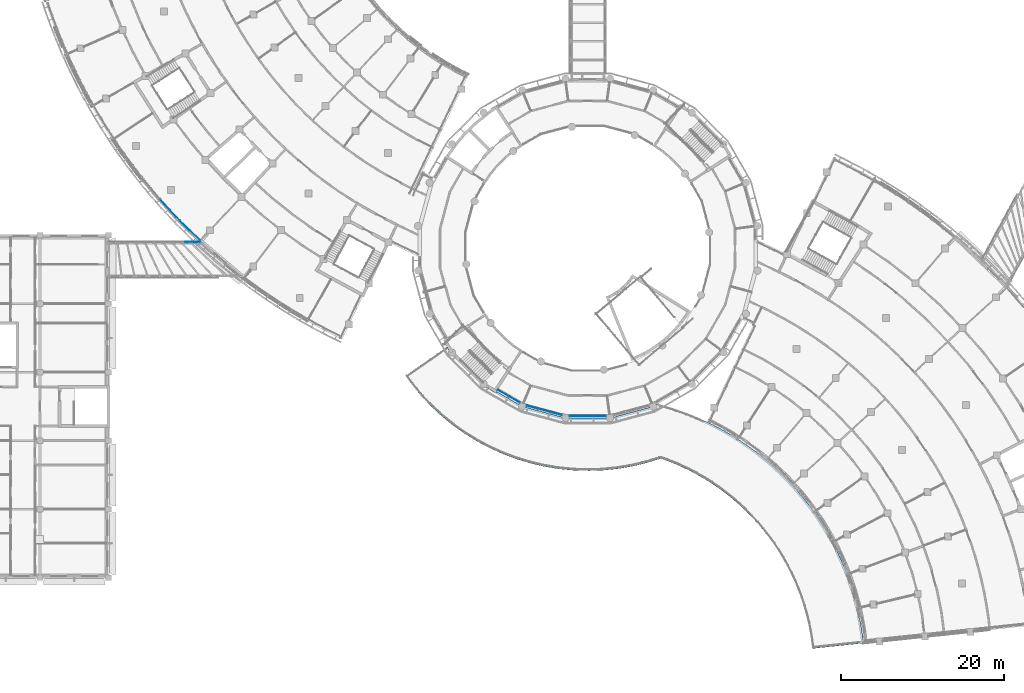
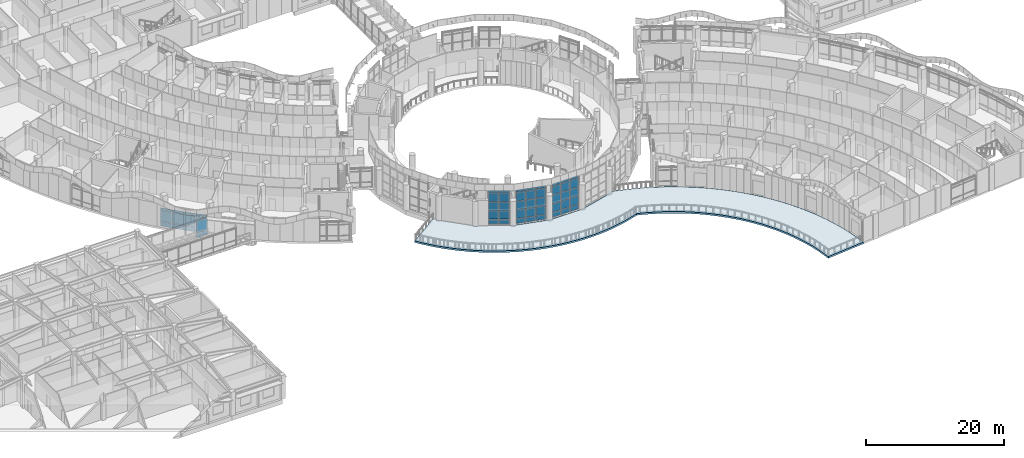
# One storey, part 41 of 136: 54 plates, 1 slab, 5 elements without a shape of their own.
"""IFC4 building model written with IfcOpenShell, lengths in metres."""

from ifc_helpers import new_model, si_unit, direction, frame, origin, origin_2d, place, context, subcontext, project, spatial, polyline, rectangle, outline, extrude, material, layer, layer_set, type_object, element, aggregate, save


model = new_model("IFC4")

# Units and contexts
model_context = context("Model", 3, precision=1e-05, world=origin(), true_north=direction((0.0, 1.0)))
body_context = subcontext(model_context, "Body", "Model", "MODEL_VIEW")
ifc_project = project(units=[si_unit("LENGTHUNIT", "METRE"), si_unit("AREAUNIT", "SQUARE_METRE"), si_unit("VOLUMEUNIT", "CUBIC_METRE"), si_unit("PLANEANGLEUNIT", "RADIAN"), si_unit("MASSUNIT", "GRAM", prefix="KILO")], contexts=[model_context])

# Site, building, storey
site_placement = place(None, origin())
site = spatial("IfcSite", under=ifc_project, at=site_placement, CompositionType="ELEMENT")
building_placement = place(site_placement, origin())
building = spatial("IfcBuilding", under=site, at=building_placement, Name="Bougainvillea Quay General Hospital", CompositionType="ELEMENT")
storey_placement = place(building_placement, frame((0.0, 0.0, 5.39990234375)))
storey = spatial("IfcBuildingStorey", under=building, at=storey_placement, Name="L01", CompositionType="ELEMENT", Elevation=5.39990234375)

# Curtain wall, plates
ifc_material_1 = material(Name="Aluminium curtain wall system, powder-coated glazed", Category="aluminium")
curtain_wall_type_1 = type_object("IfcCurtainWallType", Name="Unitised curtain wall CW-2100", PredefinedType="NOTDEFINED", material=ifc_material_1)
curtain_wall_1_placement = place(storey_placement, origin())
curtain_wall_1 = element("IfcCurtainWall", 1, at=curtain_wall_1_placement, inside=storey, type_object=curtain_wall_type_1, Name="CW-W04 a01b3", PredefinedType="NOTDEFINED")
ifc_material_2 = material(Name="Insulated aluminium spandrel panel, white", Category="aluminium")
ifc_layer_1 = layer(ifc_material_2, 0.028076171875)
ifc_layer_set_1 = layer_set([ifc_layer_1], Name="Insulated aluminium spandrel panel, white")
plate_type_1 = type_object("IfcPlateType", Name="Insulated spandrel panel white 28", PredefinedType="CURTAIN_PANEL", material=ifc_layer_set_1)
plate_1_placement = place(storey_placement, frame((61.037109375, 75.555908203125, 0.06005859375), z_axis=(0.0, 0.0, 1.0), x_axis=(-0.72341917251, 0.690409082244, 0.0)))
plate_1 = element("IfcPlate", 2, at=plate_1_placement, type_object=plate_type_1, Name="CW-W04 spandrel panel 1.1", PredefinedType="CURTAIN_PANEL", context=body_context, shape_type="SweptSolid", body=[
    extrude(rectangle(XDim=1.6787109375, YDim=0.028076171875, at=origin_2d()), origin(), (0.0, 0.0, 1.0), 0.81005859375),
])
plate_2_placement = place(storey_placement, frame((61.037109375, 75.555908203125, 2.88037109375), z_axis=(0.0, 0.0, 1.0), x_axis=(-0.72341917251, 0.690409082244, 0.0)))
plate_2 = element("IfcPlate", 3, at=plate_2_placement, type_object=plate_type_1, Name="CW-W04 spandrel panel 1.3", PredefinedType="CURTAIN_PANEL", context=body_context, shape_type="SweptSolid", body=[
    extrude(rectangle(XDim=1.6787109375, YDim=0.028076171875, at=origin_2d()), origin(), (0.0, 0.0, 1.0), 0.409912109375),
])
plate_3_placement = place(storey_placement, frame((59.783935546875, 76.78271484375, 0.06005859375), z_axis=(0.0, 0.0, 1.0), x_axis=(-0.705679920485, 0.708530768439, 0.0)))
plate_3 = element("IfcPlate", 4, at=plate_3_placement, type_object=plate_type_1, Name="CW-W04 spandrel panel 2.1", PredefinedType="CURTAIN_PANEL", context=body_context, shape_type="SweptSolid", body=[
    extrude(rectangle(XDim=1.708740234375, YDim=0.028076171875, at=origin_2d()), origin(), (0.0, 0.0, 1.0), 0.81005859375),
])
plate_4_placement = place(storey_placement, frame((59.783935546875, 76.78271484375, 2.88037109375), z_axis=(0.0, 0.0, 1.0), x_axis=(-0.705679920485, 0.708530768439, 0.0)))
plate_4 = element("IfcPlate", 5, at=plate_4_placement, type_object=plate_type_1, Name="CW-W04 spandrel panel 2.3", PredefinedType="CURTAIN_PANEL", context=body_context, shape_type="SweptSolid", body=[
    extrude(rectangle(XDim=1.708740234375, YDim=0.028076171875, at=origin_2d()), origin(), (0.0, 0.0, 1.0), 0.409912109375),
])
plate_5_placement = place(storey_placement, frame((58.5517578125, 78.0517578125, 0.06005859375), z_axis=(0.0, 0.0, 1.0), x_axis=(-0.687486862234, 0.726196815096, 0.0)))
plate_5 = element("IfcPlate", 6, at=plate_5_placement, type_object=plate_type_1, Name="CW-W04 spandrel panel 3.1", PredefinedType="CURTAIN_PANEL", context=body_context, shape_type="SweptSolid", body=[
    extrude(rectangle(XDim=1.708740234375, YDim=0.028076171875, at=origin_2d()), origin(), (0.0, 0.0, 1.0), 0.81005859375),
])
plate_6_placement = place(storey_placement, frame((58.5517578125, 78.0517578125, 2.88037109375), z_axis=(0.0, 0.0, 1.0), x_axis=(-0.687486862234, 0.726196815096, 0.0)))
plate_6 = element("IfcPlate", 7, at=plate_6_placement, type_object=plate_type_1, Name="CW-W04 spandrel panel 3.3", PredefinedType="CURTAIN_PANEL", context=body_context, shape_type="SweptSolid", body=[
    extrude(rectangle(XDim=1.708740234375, YDim=0.028076171875, at=origin_2d()), origin(), (0.0, 0.0, 1.0), 0.409912109375),
])
plate_7_placement = place(storey_placement, frame((57.3623046875, 79.340087890625, 0.06005859375), z_axis=(0.0, 0.0, 1.0), x_axis=(-0.668851697289, 0.743395861593, 0.0)))
plate_7 = element("IfcPlate", 8, at=plate_7_placement, type_object=plate_type_1, Name="CW-W04 spandrel panel 4.1", PredefinedType="CURTAIN_PANEL", context=body_context, shape_type="SweptSolid", body=[
    extrude(rectangle(XDim=1.6787109375, YDim=0.028076171875, at=origin_2d()), origin(), (0.0, 0.0, 1.0), 0.81005859375),
])
plate_8_placement = place(storey_placement, frame((57.3623046875, 79.340087890625, 2.88037109375), z_axis=(0.0, 0.0, 1.0), x_axis=(-0.668851697289, 0.743395861593, 0.0)))
plate_8 = element("IfcPlate", 9, at=plate_8_placement, type_object=plate_type_1, Name="CW-W04 spandrel panel 4.3", PredefinedType="CURTAIN_PANEL", context=body_context, shape_type="SweptSolid", body=[
    extrude(rectangle(XDim=1.6787109375, YDim=0.028076171875, at=origin_2d()), origin(), (0.0, 0.0, 1.0), 0.409912109375),
])

curtain_wall_type_2 = type_object("IfcCurtainWallType", Name="Unitised curtain wall CW-1585", PredefinedType="NOTDEFINED", material=ifc_material_1)
curtain_wall_2_placement = place(storey_placement, origin())
curtain_wall_2 = element("IfcCurtainWall", 10, at=curtain_wall_2_placement, inside=storey, type_object=curtain_wall_type_2, Name="CW-D 00", PredefinedType="NOTDEFINED")
plate_9_placement = place(storey_placement, frame((98.8359375, 56.231689453125, 0.06005859375), z_axis=(0.0, 0.0, 1.0), x_axis=(0.866045865692, -0.499964557262, 0.0)))
plate_9 = element("IfcPlate", 11, at=plate_9_placement, type_object=plate_type_1, Name="CW-D spandrel panel 1.1", PredefinedType="CURTAIN_PANEL", context=body_context, shape_type="SweptSolid", body=[
    extrude(rectangle(XDim=1.494873046875, YDim=0.028076171875, at=origin_2d()), origin(), (0.0, 0.0, 1.0), 0.81005859375),
])
plate_10_placement = place(storey_placement, frame((98.8359375, 56.231689453125, 5.580078125), z_axis=(0.0, 0.0, 1.0), x_axis=(0.866045865692, -0.499964557262, 0.0)))
plate_10 = element("IfcPlate", 12, at=plate_10_placement, type_object=plate_type_1, Name="CW-D spandrel panel 1.5", PredefinedType="CURTAIN_PANEL", context=body_context, shape_type="SweptSolid", body=[
    extrude(rectangle(XDim=1.494873046875, YDim=0.028076171875, at=origin_2d()), origin(), (0.0, 0.0, 1.0), 0.409912109375),
])
plate_11_placement = place(storey_placement, frame((100.1826171875, 55.4541015625, 0.06005859375), z_axis=(0.0, 0.0, 1.0), x_axis=(0.866045865692, -0.499964557262, 0.0)))
plate_11 = element("IfcPlate", 13, at=plate_11_placement, type_object=plate_type_1, Name="CW-D spandrel panel 2.1", PredefinedType="CURTAIN_PANEL", context=body_context, shape_type="SweptSolid", body=[
    extrude(rectangle(XDim=1.494873046875, YDim=0.028076171875, at=origin_2d()), origin(), (0.0, 0.0, 1.0), 0.81005859375),
])
plate_12_placement = place(storey_placement, frame((100.1826171875, 55.4541015625, 5.580078125), z_axis=(0.0, 0.0, 1.0), x_axis=(0.866045865692, -0.499964557262, 0.0)))
plate_12 = element("IfcPlate", 14, at=plate_12_placement, type_object=plate_type_1, Name="CW-D spandrel panel 2.5", PredefinedType="CURTAIN_PANEL", context=body_context, shape_type="SweptSolid", body=[
    extrude(rectangle(XDim=1.494873046875, YDim=0.028076171875, at=origin_2d()), origin(), (0.0, 0.0, 1.0), 0.409912109375),
])

curtain_wall_type_3 = type_object("IfcCurtainWallType", Name="Unitised curtain wall CW-1514", PredefinedType="NOTDEFINED", material=ifc_material_1)
curtain_wall_3_placement = place(storey_placement, origin())
curtain_wall_3 = element("IfcCurtainWall", 15, at=curtain_wall_3_placement, inside=storey, type_object=curtain_wall_type_3, Name="CW-D 00", PredefinedType="NOTDEFINED")
plate_13_placement = place(storey_placement, frame((102.428466796875, 54.51904296875, 0.06005859375), z_axis=(0.0, 0.0, 1.0), x_axis=(0.965916292974, -0.258854621298, 0.0)))
plate_13 = element("IfcPlate", 16, at=plate_13_placement, type_object=plate_type_1, Name="CW-D spandrel panel 1.1", PredefinedType="CURTAIN_PANEL", context=body_context, shape_type="SweptSolid", body=[
    extrude(rectangle(XDim=1.423828125, YDim=0.028076171875, at=origin_2d()), origin(), (0.0, 0.0, 1.0), 0.81005859375),
])
plate_14_placement = place(storey_placement, frame((102.428466796875, 54.51904296875, 5.580078125), z_axis=(0.0, 0.0, 1.0), x_axis=(0.965916292974, -0.258854621298, 0.0)))
plate_14 = element("IfcPlate", 17, at=plate_14_placement, type_object=plate_type_1, Name="CW-D spandrel panel 1.5", PredefinedType="CURTAIN_PANEL", context=body_context, shape_type="SweptSolid", body=[
    extrude(rectangle(XDim=1.423828125, YDim=0.028076171875, at=origin_2d()), origin(), (0.0, 0.0, 1.0), 0.409912109375),
])
plate_15_placement = place(storey_placement, frame((103.876220703125, 54.130859375, 0.06005859375), z_axis=(0.0, 0.0, 1.0), x_axis=(0.965916292974, -0.258854621298, 0.0)))
plate_15 = element("IfcPlate", 18, at=plate_15_placement, type_object=plate_type_1, Name="CW-D spandrel panel 2.1", PredefinedType="CURTAIN_PANEL", context=body_context, shape_type="SweptSolid", body=[
    extrude(rectangle(XDim=1.453857421875, YDim=0.028076171875, at=origin_2d()), origin(), (0.0, 0.0, 1.0), 0.81005859375),
])
plate_16_placement = place(storey_placement, frame((103.876220703125, 54.130859375, 5.580078125), z_axis=(0.0, 0.0, 1.0), x_axis=(0.965916292974, -0.258854621298, 0.0)))
plate_16 = element("IfcPlate", 19, at=plate_16_placement, type_object=plate_type_1, Name="CW-D spandrel panel 2.5", PredefinedType="CURTAIN_PANEL", context=body_context, shape_type="SweptSolid", body=[
    extrude(rectangle(XDim=1.453857421875, YDim=0.028076171875, at=origin_2d()), origin(), (0.0, 0.0, 1.0), 0.409912109375),
])
plate_17_placement = place(storey_placement, frame((105.323974609375, 53.742919921875, 0.06005859375), z_axis=(0.0, 0.0, 1.0), x_axis=(0.965916292974, -0.258854621298, 0.0)))
plate_17 = element("IfcPlate", 20, at=plate_17_placement, type_object=plate_type_1, Name="CW-D spandrel panel 3.1", PredefinedType="CURTAIN_PANEL", context=body_context, shape_type="SweptSolid", body=[
    extrude(rectangle(XDim=1.423828125, YDim=0.028076171875, at=origin_2d()), origin(), (0.0, 0.0, 1.0), 0.81005859375),
])
plate_18_placement = place(storey_placement, frame((105.323974609375, 53.742919921875, 5.580078125), z_axis=(0.0, 0.0, 1.0), x_axis=(0.965916292974, -0.258854621298, 0.0)))
plate_18 = element("IfcPlate", 21, at=plate_18_placement, type_object=plate_type_1, Name="CW-D spandrel panel 3.5", PredefinedType="CURTAIN_PANEL", context=body_context, shape_type="SweptSolid", body=[
    extrude(rectangle(XDim=1.423828125, YDim=0.028076171875, at=origin_2d()), origin(), (0.0, 0.0, 1.0), 0.409912109375),
])

curtain_wall_4_placement = place(storey_placement, origin())
curtain_wall_4 = element("IfcCurtainWall", 22, at=curtain_wall_4_placement, inside=storey, type_object=curtain_wall_type_3, Name="CW-D 00", PredefinedType="NOTDEFINED")
plate_19_placement = place(storey_placement, frame((107.700927734375, 53.429931640625, 0.06005859375), z_axis=(0.0, 0.0, 1.0), x_axis=(1.0, 0.0, 0.0)))
plate_19 = element("IfcPlate", 23, at=plate_19_placement, type_object=plate_type_1, Name="CW-D spandrel panel 1.1", PredefinedType="CURTAIN_PANEL", context=body_context, shape_type="SweptSolid", body=[
    extrude(rectangle(XDim=1.424072265625, YDim=0.028076171875, at=origin_2d()), origin(), (0.0, 0.0, 1.0), 0.81005859375),
])
plate_20_placement = place(storey_placement, frame((107.700927734375, 53.429931640625, 5.580078125), z_axis=(0.0, 0.0, 1.0), x_axis=(1.0, 0.0, 0.0)))
plate_20 = element("IfcPlate", 24, at=plate_20_placement, type_object=plate_type_1, Name="CW-D spandrel panel 1.5", PredefinedType="CURTAIN_PANEL", context=body_context, shape_type="SweptSolid", body=[
    extrude(rectangle(XDim=1.424072265625, YDim=0.028076171875, at=origin_2d()), origin(), (0.0, 0.0, 1.0), 0.409912109375),
])
plate_21_placement = place(storey_placement, frame((109.199951171875, 53.429931640625, 0.06005859375), z_axis=(0.0, 0.0, 1.0), x_axis=(1.0, 0.0, 0.0)))
plate_21 = element("IfcPlate", 25, at=plate_21_placement, type_object=plate_type_1, Name="CW-D spandrel panel 2.1", PredefinedType="CURTAIN_PANEL", context=body_context, shape_type="SweptSolid", body=[
    extrude(rectangle(XDim=1.4541015625, YDim=0.028076171875, at=origin_2d()), origin(), (0.0, 0.0, 1.0), 0.81005859375),
])
plate_22_placement = place(storey_placement, frame((109.199951171875, 53.429931640625, 5.580078125), z_axis=(0.0, 0.0, 1.0), x_axis=(1.0, 0.0, 0.0)))
plate_22 = element("IfcPlate", 26, at=plate_22_placement, type_object=plate_type_1, Name="CW-D spandrel panel 2.5", PredefinedType="CURTAIN_PANEL", context=body_context, shape_type="SweptSolid", body=[
    extrude(rectangle(XDim=1.4541015625, YDim=0.028076171875, at=origin_2d()), origin(), (0.0, 0.0, 1.0), 0.409912109375),
])
plate_23_placement = place(storey_placement, frame((110.698974609375, 53.429931640625, 0.06005859375), z_axis=(0.0, 0.0, 1.0), x_axis=(1.0, 0.0, 0.0)))
plate_23 = element("IfcPlate", 27, at=plate_23_placement, type_object=plate_type_1, Name="CW-D spandrel panel 3.1", PredefinedType="CURTAIN_PANEL", context=body_context, shape_type="SweptSolid", body=[
    extrude(rectangle(XDim=1.424072265625, YDim=0.028076171875, at=origin_2d()), origin(), (0.0, 0.0, 1.0), 0.81005859375),
])
plate_24_placement = place(storey_placement, frame((110.698974609375, 53.429931640625, 5.580078125), z_axis=(0.0, 0.0, 1.0), x_axis=(1.0, 0.0, 0.0)))
plate_24 = element("IfcPlate", 28, at=plate_24_placement, type_object=plate_type_1, Name="CW-D spandrel panel 3.5", PredefinedType="CURTAIN_PANEL", context=body_context, shape_type="SweptSolid", body=[
    extrude(rectangle(XDim=1.424072265625, YDim=0.028076171875, at=origin_2d()), origin(), (0.0, 0.0, 1.0), 0.409912109375),
])

# Curtain wall, plate
curtain_wall_5_placement = place(storey_placement, origin())
curtain_wall_5 = element("IfcCurtainWall", 29, at=curtain_wall_5_placement, inside=storey, type_object=curtain_wall_type_1, Name="BG-L L", PredefinedType="NOTDEFINED")
plate_25_placement = place(storey_placement, frame((60.73193359375, 74.760009765625, 0.06005859375), z_axis=(0.0, 0.0, 1.0), x_axis=(1.0, 0.0, 0.0)))
plate_25 = element("IfcPlate", 30, at=plate_25_placement, type_object=plate_type_1, Name="BG-L spandrel panel 6.1", PredefinedType="CURTAIN_PANEL", context=body_context, shape_type="SweptSolid", body=[
    extrude(rectangle(XDim=1.791259765625, YDim=0.028076171875, at=origin_2d()), origin(), (0.0, 0.0, 1.0), 0.81005859375),
])

# Plate
ifc_material_3 = material(Name="Low-e laminated glass, solar control", Category="glass")
ifc_layer_2 = layer(ifc_material_3, 0.028076171875)
ifc_layer_set_2 = layer_set([ifc_layer_2], Name="Low-e laminated glass, solar control")
plate_type_2 = type_object("IfcPlateType", Name="Low-e laminated vision glass 28", PredefinedType="CURTAIN_PANEL", material=ifc_layer_set_2)
plate_26_placement = place(storey_placement, frame((61.037109375, 75.555908203125, 0.93017578125), z_axis=(0.0, 0.0, 1.0), x_axis=(-0.72341917251, 0.690409082244, 0.0)))
plate_26 = element("IfcPlate", 31, at=plate_26_placement, type_object=plate_type_2, Name="CW-W04 vision glass panel 1.2", PredefinedType="CURTAIN_PANEL", context=body_context, shape_type="SweptSolid", body=[
    extrude(rectangle(XDim=1.6787109375, YDim=0.028076171875, at=origin_2d()), origin(), (0.0, 0.0, 1.0), 1.889892578125),
])

plate_27_placement = place(storey_placement, frame((59.783935546875, 76.78271484375, 0.93017578125), z_axis=(0.0, 0.0, 1.0), x_axis=(-0.705679920485, 0.708530768439, 0.0)))
plate_27 = element("IfcPlate", 32, at=plate_27_placement, type_object=plate_type_2, Name="CW-W04 vision glass panel 2.2", PredefinedType="CURTAIN_PANEL", context=body_context, shape_type="SweptSolid", body=[
    extrude(rectangle(XDim=1.708740234375, YDim=0.028076171875, at=origin_2d()), origin(), (0.0, 0.0, 1.0), 1.889892578125),
])

plate_28_placement = place(storey_placement, frame((58.5517578125, 78.0517578125, 0.93017578125), z_axis=(0.0, 0.0, 1.0), x_axis=(-0.687486862234, 0.726196815096, 0.0)))
plate_28 = element("IfcPlate", 33, at=plate_28_placement, type_object=plate_type_2, Name="CW-W04 vision glass panel 3.2", PredefinedType="CURTAIN_PANEL", context=body_context, shape_type="SweptSolid", body=[
    extrude(rectangle(XDim=1.708740234375, YDim=0.028076171875, at=origin_2d()), origin(), (0.0, 0.0, 1.0), 1.889892578125),
])

plate_29_placement = place(storey_placement, frame((57.3623046875, 79.340087890625, 0.93017578125), z_axis=(0.0, 0.0, 1.0), x_axis=(-0.668851697289, 0.743395861593, 0.0)))
plate_29 = element("IfcPlate", 34, at=plate_29_placement, type_object=plate_type_2, Name="CW-W04 vision glass panel 4.2", PredefinedType="CURTAIN_PANEL", context=body_context, shape_type="SweptSolid", body=[
    extrude(rectangle(XDim=1.6787109375, YDim=0.028076171875, at=origin_2d()), origin(), (0.0, 0.0, 1.0), 1.889892578125),
])

aggregate(curtain_wall_1, [plate_1, plate_26, plate_2, plate_3, plate_27, plate_4, plate_5, plate_28, plate_6, plate_7, plate_29, plate_8])

plate_30_placement = place(storey_placement, frame((98.8359375, 56.231689453125, 0.93017578125), z_axis=(0.0, 0.0, 1.0), x_axis=(0.866045865692, -0.499964557262, 0.0)))
plate_30 = element("IfcPlate", 35, at=plate_30_placement, type_object=plate_type_2, Name="CW-D vision glass panel 1.2", PredefinedType="CURTAIN_PANEL", context=body_context, shape_type="SweptSolid", body=[
    extrude(rectangle(XDim=1.494873046875, YDim=0.028076171875, at=origin_2d()), origin(), (0.0, 0.0, 1.0), 1.489990234375),
])

plate_31_placement = place(storey_placement, frame((98.8359375, 56.231689453125, 2.47998046875), z_axis=(0.0, 0.0, 1.0), x_axis=(0.866045865692, -0.499964557262, 0.0)))
plate_31 = element("IfcPlate", 36, at=plate_31_placement, type_object=plate_type_2, Name="CW-D vision glass panel 1.3", PredefinedType="CURTAIN_PANEL", context=body_context, shape_type="SweptSolid", body=[
    extrude(rectangle(XDim=1.494873046875, YDim=0.028076171875, at=origin_2d()), origin(), (0.0, 0.0, 1.0), 1.489990234375),
])

plate_32_placement = place(storey_placement, frame((98.8359375, 56.231689453125, 4.0302734375), z_axis=(0.0, 0.0, 1.0), x_axis=(0.866045865692, -0.499964557262, 0.0)))
plate_32 = element("IfcPlate", 37, at=plate_32_placement, type_object=plate_type_2, Name="CW-D vision glass panel 1.4", PredefinedType="CURTAIN_PANEL", context=body_context, shape_type="SweptSolid", body=[
    extrude(rectangle(XDim=1.494873046875, YDim=0.028076171875, at=origin_2d()), origin(), (0.0, 0.0, 1.0), 1.489990234375),
])

plate_33_placement = place(storey_placement, frame((100.1826171875, 55.4541015625, 0.93017578125), z_axis=(0.0, 0.0, 1.0), x_axis=(0.866045865692, -0.499964557262, 0.0)))
plate_33 = element("IfcPlate", 38, at=plate_33_placement, type_object=plate_type_2, Name="CW-D vision glass panel 2.2", PredefinedType="CURTAIN_PANEL", context=body_context, shape_type="SweptSolid", body=[
    extrude(rectangle(XDim=1.494873046875, YDim=0.028076171875, at=origin_2d()), origin(), (0.0, 0.0, 1.0), 1.489990234375),
])

plate_34_placement = place(storey_placement, frame((100.1826171875, 55.4541015625, 2.47998046875), z_axis=(0.0, 0.0, 1.0), x_axis=(0.866045865692, -0.499964557262, 0.0)))
plate_34 = element("IfcPlate", 39, at=plate_34_placement, type_object=plate_type_2, Name="CW-D vision glass panel 2.3", PredefinedType="CURTAIN_PANEL", context=body_context, shape_type="SweptSolid", body=[
    extrude(rectangle(XDim=1.494873046875, YDim=0.028076171875, at=origin_2d()), origin(), (0.0, 0.0, 1.0), 1.489990234375),
])

plate_35_placement = place(storey_placement, frame((100.1826171875, 55.4541015625, 4.0302734375), z_axis=(0.0, 0.0, 1.0), x_axis=(0.866045865692, -0.499964557262, 0.0)))
plate_35 = element("IfcPlate", 40, at=plate_35_placement, type_object=plate_type_2, Name="CW-D vision glass panel 2.4", PredefinedType="CURTAIN_PANEL", context=body_context, shape_type="SweptSolid", body=[
    extrude(rectangle(XDim=1.494873046875, YDim=0.028076171875, at=origin_2d()), origin(), (0.0, 0.0, 1.0), 1.489990234375),
])

aggregate(curtain_wall_2, [plate_9, plate_30, plate_31, plate_32, plate_10, plate_11, plate_33, plate_34, plate_35, plate_12])

plate_36_placement = place(storey_placement, frame((102.428466796875, 54.51904296875, 0.93017578125), z_axis=(0.0, 0.0, 1.0), x_axis=(0.965916292974, -0.258854621298, 0.0)))
plate_36 = element("IfcPlate", 41, at=plate_36_placement, type_object=plate_type_2, Name="CW-D vision glass panel 1.2", PredefinedType="CURTAIN_PANEL", context=body_context, shape_type="SweptSolid", body=[
    extrude(rectangle(XDim=1.423828125, YDim=0.028076171875, at=origin_2d()), origin(), (0.0, 0.0, 1.0), 1.489990234375),
])

plate_37_placement = place(storey_placement, frame((102.428466796875, 54.51904296875, 2.47998046875), z_axis=(0.0, 0.0, 1.0), x_axis=(0.965916292974, -0.258854621298, 0.0)))
plate_37 = element("IfcPlate", 42, at=plate_37_placement, type_object=plate_type_2, Name="CW-D vision glass panel 1.3", PredefinedType="CURTAIN_PANEL", context=body_context, shape_type="SweptSolid", body=[
    extrude(rectangle(XDim=1.423828125, YDim=0.028076171875, at=origin_2d()), origin(), (0.0, 0.0, 1.0), 1.489990234375),
])

plate_38_placement = place(storey_placement, frame((102.428466796875, 54.51904296875, 4.0302734375), z_axis=(0.0, 0.0, 1.0), x_axis=(0.965916292974, -0.258854621298, 0.0)))
plate_38 = element("IfcPlate", 43, at=plate_38_placement, type_object=plate_type_2, Name="CW-D vision glass panel 1.4", PredefinedType="CURTAIN_PANEL", context=body_context, shape_type="SweptSolid", body=[
    extrude(rectangle(XDim=1.423828125, YDim=0.028076171875, at=origin_2d()), origin(), (0.0, 0.0, 1.0), 1.489990234375),
])

plate_39_placement = place(storey_placement, frame((103.876220703125, 54.130859375, 0.93017578125), z_axis=(0.0, 0.0, 1.0), x_axis=(0.965916292974, -0.258854621298, 0.0)))
plate_39 = element("IfcPlate", 44, at=plate_39_placement, type_object=plate_type_2, Name="CW-D vision glass panel 2.2", PredefinedType="CURTAIN_PANEL", context=body_context, shape_type="SweptSolid", body=[
    extrude(rectangle(XDim=1.453857421875, YDim=0.028076171875, at=origin_2d()), origin(), (0.0, 0.0, 1.0), 1.489990234375),
])

plate_40_placement = place(storey_placement, frame((103.876220703125, 54.130859375, 2.47998046875), z_axis=(0.0, 0.0, 1.0), x_axis=(0.965916292974, -0.258854621298, 0.0)))
plate_40 = element("IfcPlate", 45, at=plate_40_placement, type_object=plate_type_2, Name="CW-D vision glass panel 2.3", PredefinedType="CURTAIN_PANEL", context=body_context, shape_type="SweptSolid", body=[
    extrude(rectangle(XDim=1.453857421875, YDim=0.028076171875, at=origin_2d()), origin(), (0.0, 0.0, 1.0), 1.489990234375),
])

plate_41_placement = place(storey_placement, frame((103.876220703125, 54.130859375, 4.0302734375), z_axis=(0.0, 0.0, 1.0), x_axis=(0.965916292974, -0.258854621298, 0.0)))
plate_41 = element("IfcPlate", 46, at=plate_41_placement, type_object=plate_type_2, Name="CW-D vision glass panel 2.4", PredefinedType="CURTAIN_PANEL", context=body_context, shape_type="SweptSolid", body=[
    extrude(rectangle(XDim=1.453857421875, YDim=0.028076171875, at=origin_2d()), origin(), (0.0, 0.0, 1.0), 1.489990234375),
])

plate_42_placement = place(storey_placement, frame((105.323974609375, 53.742919921875, 0.93017578125), z_axis=(0.0, 0.0, 1.0), x_axis=(0.965916292974, -0.258854621298, 0.0)))
plate_42 = element("IfcPlate", 47, at=plate_42_placement, type_object=plate_type_2, Name="CW-D vision glass panel 3.2", PredefinedType="CURTAIN_PANEL", context=body_context, shape_type="SweptSolid", body=[
    extrude(rectangle(XDim=1.423828125, YDim=0.028076171875, at=origin_2d()), origin(), (0.0, 0.0, 1.0), 1.489990234375),
])

plate_43_placement = place(storey_placement, frame((105.323974609375, 53.742919921875, 2.47998046875), z_axis=(0.0, 0.0, 1.0), x_axis=(0.965916292974, -0.258854621298, 0.0)))
plate_43 = element("IfcPlate", 48, at=plate_43_placement, type_object=plate_type_2, Name="CW-D vision glass panel 3.3", PredefinedType="CURTAIN_PANEL", context=body_context, shape_type="SweptSolid", body=[
    extrude(rectangle(XDim=1.423828125, YDim=0.028076171875, at=origin_2d()), origin(), (0.0, 0.0, 1.0), 1.489990234375),
])

plate_44_placement = place(storey_placement, frame((105.323974609375, 53.742919921875, 4.0302734375), z_axis=(0.0, 0.0, 1.0), x_axis=(0.965916292974, -0.258854621298, 0.0)))
plate_44 = element("IfcPlate", 49, at=plate_44_placement, type_object=plate_type_2, Name="CW-D vision glass panel 3.4", PredefinedType="CURTAIN_PANEL", context=body_context, shape_type="SweptSolid", body=[
    extrude(rectangle(XDim=1.423828125, YDim=0.028076171875, at=origin_2d()), origin(), (0.0, 0.0, 1.0), 1.489990234375),
])

aggregate(curtain_wall_3, [plate_13, plate_36, plate_37, plate_38, plate_14, plate_15, plate_39, plate_40, plate_41, plate_16, plate_17, plate_42, plate_43, plate_44, plate_18])

plate_45_placement = place(storey_placement, frame((107.700927734375, 53.429931640625, 0.93017578125), z_axis=(0.0, 0.0, 1.0), x_axis=(1.0, 0.0, 0.0)))
plate_45 = element("IfcPlate", 50, at=plate_45_placement, type_object=plate_type_2, Name="CW-D vision glass panel 1.2", PredefinedType="CURTAIN_PANEL", context=body_context, shape_type="SweptSolid", body=[
    extrude(rectangle(XDim=1.424072265625, YDim=0.028076171875, at=origin_2d()), origin(), (0.0, 0.0, 1.0), 1.489990234375),
])

plate_46_placement = place(storey_placement, frame((107.700927734375, 53.429931640625, 2.47998046875), z_axis=(0.0, 0.0, 1.0), x_axis=(1.0, 0.0, 0.0)))
plate_46 = element("IfcPlate", 51, at=plate_46_placement, type_object=plate_type_2, Name="CW-D vision glass panel 1.3", PredefinedType="CURTAIN_PANEL", context=body_context, shape_type="SweptSolid", body=[
    extrude(rectangle(XDim=1.424072265625, YDim=0.028076171875, at=origin_2d()), origin(), (0.0, 0.0, 1.0), 1.489990234375),
])

plate_47_placement = place(storey_placement, frame((107.700927734375, 53.429931640625, 4.0302734375), z_axis=(0.0, 0.0, 1.0), x_axis=(1.0, 0.0, 0.0)))
plate_47 = element("IfcPlate", 52, at=plate_47_placement, type_object=plate_type_2, Name="CW-D vision glass panel 1.4", PredefinedType="CURTAIN_PANEL", context=body_context, shape_type="SweptSolid", body=[
    extrude(rectangle(XDim=1.424072265625, YDim=0.028076171875, at=origin_2d()), origin(), (0.0, 0.0, 1.0), 1.489990234375),
])

plate_48_placement = place(storey_placement, frame((109.199951171875, 53.429931640625, 0.93017578125), z_axis=(0.0, 0.0, 1.0), x_axis=(1.0, 0.0, 0.0)))
plate_48 = element("IfcPlate", 53, at=plate_48_placement, type_object=plate_type_2, Name="CW-D vision glass panel 2.2", PredefinedType="CURTAIN_PANEL", context=body_context, shape_type="SweptSolid", body=[
    extrude(rectangle(XDim=1.4541015625, YDim=0.028076171875, at=origin_2d()), origin(), (0.0, 0.0, 1.0), 1.489990234375),
])

plate_49_placement = place(storey_placement, frame((109.199951171875, 53.429931640625, 2.47998046875), z_axis=(0.0, 0.0, 1.0), x_axis=(1.0, 0.0, 0.0)))
plate_49 = element("IfcPlate", 54, at=plate_49_placement, type_object=plate_type_2, Name="CW-D vision glass panel 2.3", PredefinedType="CURTAIN_PANEL", context=body_context, shape_type="SweptSolid", body=[
    extrude(rectangle(XDim=1.4541015625, YDim=0.028076171875, at=origin_2d()), origin(), (0.0, 0.0, 1.0), 1.489990234375),
])

plate_50_placement = place(storey_placement, frame((109.199951171875, 53.429931640625, 4.0302734375), z_axis=(0.0, 0.0, 1.0), x_axis=(1.0, 0.0, 0.0)))
plate_50 = element("IfcPlate", 55, at=plate_50_placement, type_object=plate_type_2, Name="CW-D vision glass panel 2.4", PredefinedType="CURTAIN_PANEL", context=body_context, shape_type="SweptSolid", body=[
    extrude(rectangle(XDim=1.4541015625, YDim=0.028076171875, at=origin_2d()), origin(), (0.0, 0.0, 1.0), 1.489990234375),
])

plate_51_placement = place(storey_placement, frame((110.698974609375, 53.429931640625, 0.93017578125), z_axis=(0.0, 0.0, 1.0), x_axis=(1.0, 0.0, 0.0)))
plate_51 = element("IfcPlate", 56, at=plate_51_placement, type_object=plate_type_2, Name="CW-D vision glass panel 3.2", PredefinedType="CURTAIN_PANEL", context=body_context, shape_type="SweptSolid", body=[
    extrude(rectangle(XDim=1.424072265625, YDim=0.028076171875, at=origin_2d()), origin(), (0.0, 0.0, 1.0), 1.489990234375),
])

plate_52_placement = place(storey_placement, frame((110.698974609375, 53.429931640625, 2.47998046875), z_axis=(0.0, 0.0, 1.0), x_axis=(1.0, 0.0, 0.0)))
plate_52 = element("IfcPlate", 57, at=plate_52_placement, type_object=plate_type_2, Name="CW-D vision glass panel 3.3", PredefinedType="CURTAIN_PANEL", context=body_context, shape_type="SweptSolid", body=[
    extrude(rectangle(XDim=1.424072265625, YDim=0.028076171875, at=origin_2d()), origin(), (0.0, 0.0, 1.0), 1.489990234375),
])

plate_53_placement = place(storey_placement, frame((110.698974609375, 53.429931640625, 4.0302734375), z_axis=(0.0, 0.0, 1.0), x_axis=(1.0, 0.0, 0.0)))
plate_53 = element("IfcPlate", 58, at=plate_53_placement, type_object=plate_type_2, Name="CW-D vision glass panel 3.4", PredefinedType="CURTAIN_PANEL", context=body_context, shape_type="SweptSolid", body=[
    extrude(rectangle(XDim=1.424072265625, YDim=0.028076171875, at=origin_2d()), origin(), (0.0, 0.0, 1.0), 1.489990234375),
])

aggregate(curtain_wall_4, [plate_19, plate_45, plate_46, plate_47, plate_20, plate_21, plate_48, plate_49, plate_50, plate_22, plate_23, plate_51, plate_52, plate_53, plate_24])

plate_54_placement = place(storey_placement, frame((60.73193359375, 74.760009765625, 0.93017578125), z_axis=(0.0, 0.0, 1.0), x_axis=(1.0, 0.0, 0.0)))
plate_54 = element("IfcPlate", 59, at=plate_54_placement, type_object=plate_type_2, Name="BG-L vision glass panel 6.2", PredefinedType="CURTAIN_PANEL", context=body_context, shape_type="SweptSolid", body=[
    extrude(rectangle(XDim=1.791259765625, YDim=0.028076171875, at=origin_2d()), origin(), (0.0, 0.0, 1.0), 2.010009765625),
])

aggregate(curtain_wall_5, [plate_25, plate_54])

# Slab
ifc_material_4 = material(Name="Concrete C35", Category="concrete")
ifc_layer_3 = layer(ifc_material_4, 0.300048828125)
ifc_layer_set_3 = layer_set([ifc_layer_3], Name="Concrete C35")
slab_type = type_object("IfcSlabType", Name="RC FLAT SLAB 300 C35 EXTERNAL", PredefinedType="FLOOR", material=ifc_layer_set_3)
slab_placement = place(storey_placement, frame((0.0, 0.0, -0.2998046875)))
element("IfcSlab", 60, at=slab_placement, inside=storey, type_object=slab_type, Name="Slab S2 L01", PredefinedType="FLOOR", context=body_context, shape_type="SweptSolid", body=[
    extrude(outline(polyline([(121.9951171875, 53.5009765625), (123.199951171875, 52.98388671875), (124.385009765625, 52.4208984375), (125.547119140625, 51.81201171875), (126.68505859375, 51.159912109375), (127.7958984375, 50.464111328125), (128.8798828125, 49.72509765625), (129.93505859375, 48.945068359375), (130.958984375, 48.1259765625), (131.949951171875, 47.26708984375), (132.907958984375, 46.37109375), (133.830078125, 45.43798828125), (134.716064453125, 44.470947265625), (135.56396484375, 43.469970703125), (136.3720703125, 42.43701171875), (137.139892578125, 41.373046875), (137.866943359375, 40.281005859375), (138.551025390625, 39.162109375), (139.19091796875, 38.01708984375), (139.785888671875, 36.847900390625), (140.3359375, 35.657958984375), (140.840087890625, 34.447021484375), (141.2958984375, 33.217041015625), (141.705078125, 31.970947265625), (142.06591796875, 30.708984375), (142.376953125, 29.43505859375), (142.638916015625, 28.14990234375), (142.85205078125, 26.85595703125), (143.013916015625, 25.553955078125), (136.748046875, 24.89501953125), (136.615966796875, 25.9560546875), (136.443115234375, 27.010009765625), (136.22998046875, 28.056884765625), (135.97607421875, 29.095947265625), (135.681884765625, 30.123046875), (135.34912109375, 31.137939453125), (134.97705078125, 32.139892578125), (134.56689453125, 33.126953125), (134.118896484375, 34.096923828125), (133.634033203125, 35.049072265625), (133.112060546875, 35.98193359375), (132.554931640625, 36.89404296875), (131.962890625, 37.783935546875), (131.337890625, 38.64990234375), (130.678955078125, 39.490966796875), (129.988037109375, 40.306884765625), (129.26708984375, 41.094970703125), (128.514892578125, 41.85498046875), (127.735107421875, 42.5849609375), (126.927001953125, 43.284912109375), (126.093017578125, 43.952880859375), (125.23388671875, 44.587890625), (124.35009765625, 45.18994140625), (123.445068359375, 45.757080078125), (122.51806640625, 46.2880859375), (121.571044921875, 46.783935546875), (120.60595703125, 47.242919921875), (119.6240234375, 47.6640625), (118.6259765625, 48.047119140625), (118.14208984375, 48.2119140625), (118.031005859375, 48.169921875), (117.718017578125, 48.071044921875), (116.468994140625, 47.69189453125), (115.946044921875, 47.555908203125), (114.843994140625, 47.299072265625), (114.31298828125, 47.18896484375), (113.037109375, 46.97900390625), (112.699951171875, 46.927001953125), (111.083984375, 46.76806640625), (110.660888671875, 46.748046875), (109.445068359375, 46.7080078125), (108.89306640625, 46.7099609375), (107.756103515625, 46.7470703125), (107.235107421875, 46.77587890625), (105.7890625, 46.9189453125), (105.613037109375, 46.93701171875), (104.009033203125, 47.201904296875), (103.5390625, 47.302978515625), (102.403076171875, 47.568115234375), (101.864990234375, 47.7119140625), (100.7548828125, 48.049072265625), (100.2900390625, 48.199951171875), (98.76806640625, 48.77197265625), (98.65087890625, 48.823974609375), (97.283935546875, 49.444091796875), (96.822998046875, 49.677001953125), (95.81689453125, 50.215087890625), (95.3359375, 50.489990234375), (94.31396484375, 51.1259765625), (93.946044921875, 51.363037109375), (92.6259765625, 52.30908203125), (92.3798828125, 52.507080078125), (91.361083984375, 53.342041015625), (90.958984375, 53.700927734375), (90.133056640625, 54.47412109375), (89.74609375, 54.85595703125), (88.868896484375, 55.7919921875), (88.632080078125, 56.052001953125), (87.60205078125, 57.306884765625), (87.35400390625, 57.64208984375), (86.847900390625, 58.34912109375), (91.92529296875, 61.90478515625), (91.960693359375, 61.869384765625), (92.376220703125, 61.148681640625), (92.3994140625, 61.10791015625), (92.4326171875, 61.0751953125), (96.275146484375, 57.232666015625), (96.30810546875, 57.19921875), (96.3486328125, 57.176025390625), (97.9091796875, 56.27587890625), (97.99658203125, 56.427490234375), (101.1640625, 54.59912109375), (106.458984375, 53.179931640625), (109.199951171875, 53.179931640625), (111.94091796875, 53.179931640625), (117.236083984375, 54.59912109375), (117.756103515625, 54.89892578125), (118.27099609375, 54.76806640625), (119.528076171875, 54.39306640625), (120.77001953125, 53.970947265625), (121.9951171875, 53.5009765625)])), origin(), (0.0, 0.0, 1.0), 0.2998046875),
])

save(model, "model.ifc")
